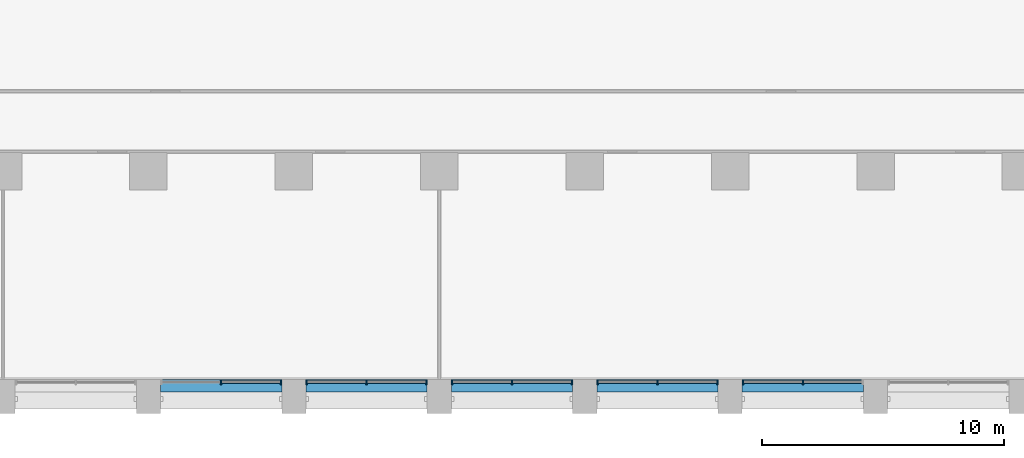
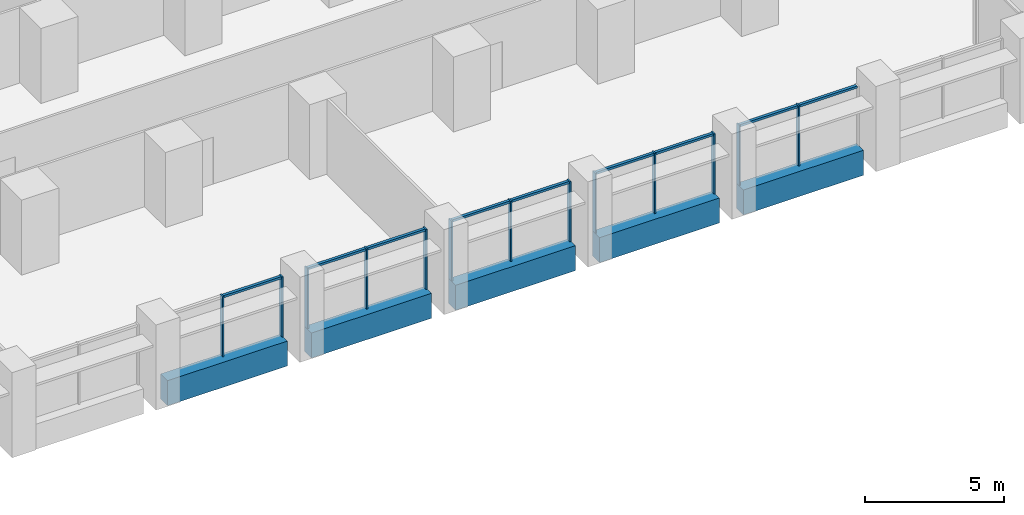
# One storey, part 3 of 17: 22 members, 5 beams, 5 elements without a shape of their own.
"""IFC4 building model written with IfcOpenShell, lengths in metres."""

from ifc_helpers import new_model, si_unit, direction, frame, origin, origin_2d, place, context, subcontext, project, spatial, rectangle, extrude, material, material_profile, profile_set, type_object, element, aggregate, save


model = new_model("IFC4")

# Units and contexts
model_context = context("Model", 3, precision=1e-05, world=origin(), true_north=direction((0.0, 1.0)))
body_context = subcontext(model_context, "Body", "Model", "MODEL_VIEW")
ifc_project = project(units=[si_unit("LENGTHUNIT", "METRE"), si_unit("AREAUNIT", "SQUARE_METRE"), si_unit("VOLUMEUNIT", "CUBIC_METRE"), si_unit("PLANEANGLEUNIT", "RADIAN"), si_unit("MASSUNIT", "GRAM", prefix="KILO")], contexts=[model_context])

# Site, building, storey
site_placement = place(None, origin())
site = spatial("IfcSite", under=ifc_project, at=site_placement, CompositionType="ELEMENT")
building_placement = place(site_placement, origin())
building = spatial("IfcBuilding", under=site, at=building_placement, Name="Calvaro Tower", CompositionType="ELEMENT")
storey_placement = place(building_placement, frame((0.0, 0.0, 71.25)))
storey = spatial("IfcBuildingStorey", under=building, at=storey_placement, Name="L17", CompositionType="ELEMENT", Elevation=71.25)

# Curtain wall, members
ifc_material_1 = material(Name="Anodised aluminium", Category="aluminium")
curtain_wall_type = type_object("IfcCurtainWallType", Name="Office curtain wall, lower zone", PredefinedType="NOTDEFINED", material=ifc_material_1)
curtain_wall_1_placement = place(storey_placement, origin())
curtain_wall_1 = element("IfcCurtainWall", 1, at=curtain_wall_1_placement, inside=storey, type_object=curtain_wall_type, Name="CW1 south curtain wall", PredefinedType="NOTDEFINED")
ifc_material_2 = material(Name="Anodised aluminium", Category="aluminium")
ifc_material_profile_1 = material_profile(ifc_material_2, rectangle(XDim=0.199951171875, YDim=0.06005859375, at=origin_2d()), Name="Mullion S1 60 x 200")
ifc_profile_set_1 = profile_set([ifc_material_profile_1], Name="Anodised aluminium")
member_type_1 = type_object("IfcMemberType", Name="Mullion S1 60 x 200", PredefinedType="MULLION", material=ifc_profile_set_1)
member_1_placement = place(storey_placement, frame((39.0, 1.300048828125, 0.0), z_axis=(0.0, 0.0, 1.0), x_axis=(0.0, 1.0, 0.0)))
member_1 = element("IfcMember", 2, at=member_1_placement, type_object=member_type_1, Name="CW1 mullion 2", PredefinedType="MULLION", context=body_context, shape_type="SweptSolid", body=[
    extrude(rectangle(XDim=0.199951171875, YDim=0.06005859375, at=origin_2d()), origin(), (0.0, 0.0, 1.0), 2.64990234375),
])
member_2_placement = place(storey_placement, frame((41.469970703125, 1.300048828125, 0.0), z_axis=(0.0, 0.0, 1.0), x_axis=(0.0, 1.0, 0.0)))
member_2 = element("IfcMember", 3, at=member_2_placement, type_object=member_type_1, Name="CW1 mullion 3", PredefinedType="MULLION", context=body_context, shape_type="SweptSolid", body=[
    extrude(rectangle(XDim=0.199951171875, YDim=0.06005859375, at=origin_2d()), origin(), (0.0, 0.0, 1.0), 2.64990234375),
])

curtain_wall_2_placement = place(storey_placement, origin())
curtain_wall_2 = element("IfcCurtainWall", 4, at=curtain_wall_2_placement, inside=storey, type_object=curtain_wall_type, Name="CW1 south curtain wall", PredefinedType="NOTDEFINED")
member_3_placement = place(storey_placement, frame((42.530029296875, 1.300048828125, 0.0), z_axis=(0.0, 0.0, 1.0), x_axis=(0.0, 1.0, 0.0)))
member_3 = element("IfcMember", 5, at=member_3_placement, type_object=member_type_1, Name="CW1 mullion 1", PredefinedType="MULLION", context=body_context, shape_type="SweptSolid", body=[
    extrude(rectangle(XDim=0.199951171875, YDim=0.06005859375, at=origin_2d()), origin(), (0.0, 0.0, 1.0), 2.64990234375),
])
member_4_placement = place(storey_placement, frame((45.0, 1.300048828125, 0.0), z_axis=(0.0, 0.0, 1.0), x_axis=(0.0, 1.0, 0.0)))
member_4 = element("IfcMember", 6, at=member_4_placement, type_object=member_type_1, Name="CW1 mullion 2", PredefinedType="MULLION", context=body_context, shape_type="SweptSolid", body=[
    extrude(rectangle(XDim=0.199951171875, YDim=0.06005859375, at=origin_2d()), origin(), (0.0, 0.0, 1.0), 2.64990234375),
])
member_5_placement = place(storey_placement, frame((47.469970703125, 1.300048828125, 0.0), z_axis=(0.0, 0.0, 1.0), x_axis=(0.0, 1.0, 0.0)))
member_5 = element("IfcMember", 7, at=member_5_placement, type_object=member_type_1, Name="CW1 mullion 3", PredefinedType="MULLION", context=body_context, shape_type="SweptSolid", body=[
    extrude(rectangle(XDim=0.199951171875, YDim=0.06005859375, at=origin_2d()), origin(), (0.0, 0.0, 1.0), 2.64990234375),
])

curtain_wall_3_placement = place(storey_placement, origin())
curtain_wall_3 = element("IfcCurtainWall", 8, at=curtain_wall_3_placement, inside=storey, type_object=curtain_wall_type, Name="CW1 south curtain wall", PredefinedType="NOTDEFINED")
member_6_placement = place(storey_placement, frame((48.530029296875, 1.300048828125, 0.0), z_axis=(0.0, 0.0, 1.0), x_axis=(0.0, 1.0, 0.0)))
member_6 = element("IfcMember", 9, at=member_6_placement, type_object=member_type_1, Name="CW1 mullion 1", PredefinedType="MULLION", context=body_context, shape_type="SweptSolid", body=[
    extrude(rectangle(XDim=0.199951171875, YDim=0.06005859375, at=origin_2d()), origin(), (0.0, 0.0, 1.0), 2.64990234375),
])
member_7_placement = place(storey_placement, frame((51.0, 1.300048828125, 0.0), z_axis=(0.0, 0.0, 1.0), x_axis=(0.0, 1.0, 0.0)))
member_7 = element("IfcMember", 10, at=member_7_placement, type_object=member_type_1, Name="CW1 mullion 2", PredefinedType="MULLION", context=body_context, shape_type="SweptSolid", body=[
    extrude(rectangle(XDim=0.199951171875, YDim=0.06005859375, at=origin_2d()), origin(), (0.0, 0.0, 1.0), 2.64990234375),
])
member_8_placement = place(storey_placement, frame((53.469970703125, 1.300048828125, 0.0), z_axis=(0.0, 0.0, 1.0), x_axis=(0.0, 1.0, 0.0)))
member_8 = element("IfcMember", 11, at=member_8_placement, type_object=member_type_1, Name="CW1 mullion 3", PredefinedType="MULLION", context=body_context, shape_type="SweptSolid", body=[
    extrude(rectangle(XDim=0.199951171875, YDim=0.06005859375, at=origin_2d()), origin(), (0.0, 0.0, 1.0), 2.64990234375),
])

curtain_wall_4_placement = place(storey_placement, origin())
curtain_wall_4 = element("IfcCurtainWall", 12, at=curtain_wall_4_placement, inside=storey, type_object=curtain_wall_type, Name="CW1 south curtain wall", PredefinedType="NOTDEFINED")
member_9_placement = place(storey_placement, frame((54.530029296875, 1.300048828125, 0.0), z_axis=(0.0, 0.0, 1.0), x_axis=(0.0, 1.0, 0.0)))
member_9 = element("IfcMember", 13, at=member_9_placement, type_object=member_type_1, Name="CW1 mullion 1", PredefinedType="MULLION", context=body_context, shape_type="SweptSolid", body=[
    extrude(rectangle(XDim=0.199951171875, YDim=0.06005859375, at=origin_2d()), origin(), (0.0, 0.0, 1.0), 2.64990234375),
])
member_10_placement = place(storey_placement, frame((57.0, 1.300048828125, 0.0), z_axis=(0.0, 0.0, 1.0), x_axis=(0.0, 1.0, 0.0)))
member_10 = element("IfcMember", 14, at=member_10_placement, type_object=member_type_1, Name="CW1 mullion 2", PredefinedType="MULLION", context=body_context, shape_type="SweptSolid", body=[
    extrude(rectangle(XDim=0.199951171875, YDim=0.06005859375, at=origin_2d()), origin(), (0.0, 0.0, 1.0), 2.64990234375),
])
member_11_placement = place(storey_placement, frame((59.469970703125, 1.300048828125, 0.0), z_axis=(0.0, 0.0, 1.0), x_axis=(0.0, 1.0, 0.0)))
member_11 = element("IfcMember", 15, at=member_11_placement, type_object=member_type_1, Name="CW1 mullion 3", PredefinedType="MULLION", context=body_context, shape_type="SweptSolid", body=[
    extrude(rectangle(XDim=0.199951171875, YDim=0.06005859375, at=origin_2d()), origin(), (0.0, 0.0, 1.0), 2.64990234375),
])

curtain_wall_5_placement = place(storey_placement, origin())
curtain_wall_5 = element("IfcCurtainWall", 16, at=curtain_wall_5_placement, inside=storey, type_object=curtain_wall_type, Name="CW1 south curtain wall", PredefinedType="NOTDEFINED")
member_12_placement = place(storey_placement, frame((60.530029296875, 1.300048828125, 0.0), z_axis=(0.0, 0.0, 1.0), x_axis=(0.0, 1.0, 0.0)))
member_12 = element("IfcMember", 17, at=member_12_placement, type_object=member_type_1, Name="CW1 mullion 1", PredefinedType="MULLION", context=body_context, shape_type="SweptSolid", body=[
    extrude(rectangle(XDim=0.199951171875, YDim=0.06005859375, at=origin_2d()), origin(), (0.0, 0.0, 1.0), 2.64990234375),
])
member_13_placement = place(storey_placement, frame((63.0, 1.300048828125, 0.0), z_axis=(0.0, 0.0, 1.0), x_axis=(0.0, 1.0, 0.0)))
member_13 = element("IfcMember", 18, at=member_13_placement, type_object=member_type_1, Name="CW1 mullion 2", PredefinedType="MULLION", context=body_context, shape_type="SweptSolid", body=[
    extrude(rectangle(XDim=0.199951171875, YDim=0.06005859375, at=origin_2d()), origin(), (0.0, 0.0, 1.0), 2.64990234375),
])

# Beams
ifc_material_3 = material(Name="Concrete C50/60 precast", Category="concrete")
ifc_material_profile_2 = material_profile(ifc_material_3, rectangle(XDim=0.5, YDim=1.10009765625, at=origin_2d()), Name="RC 500x1100")
ifc_profile_set_2 = profile_set([ifc_material_profile_2], Name="Concrete C50/60 precast")
beam_type = type_object("IfcBeamType", Name="Spandrel beam 500x1100 C50/60", PredefinedType="SPANDREL", material=ifc_profile_set_2)
for number, where, z_axis, x_axis, name in (
    (19, (36.5, 1.14990234375, -0.550048828125), (1.0, 0.0, 0.0), (0.0, 1.0, 0.0), "Spandrel beam"),
    (20, (42.5, 1.14990234375, -0.550048828125), (1.0, 0.0, 0.0), (0.0, 1.0, 0.0), "Spandrel beam"),
    (21, (48.5, 1.14990234375, -0.550048828125), (1.0, 0.0, 0.0), (0.0, 1.0, 0.0), "Spandrel beam"),
    (22, (54.5, 1.14990234375, -0.550048828125), (1.0, 0.0, 0.0), (0.0, 1.0, 0.0), "Spandrel beam"),
    (23, (60.5, 1.14990234375, -0.550048828125), (1.0, 0.0, 0.0), (0.0, 1.0, 0.0), "Spandrel beam"),
):
    element("IfcBeam", number, at=place(storey_placement, frame(where, z_axis=z_axis, x_axis=x_axis)), inside=storey, type_object=beam_type, Name=name, PredefinedType="SPANDREL", context=body_context, shape_type="SweptSolid", body=[
        extrude(rectangle(XDim=0.5, YDim=1.10009765625, at=origin_2d()), origin(), (0.0, 0.0, 1.0), 5.0),
    ])

# Member
ifc_material_4 = material(Name="Anodised aluminium", Category="aluminium")
ifc_material_profile_3 = material_profile(ifc_material_4, rectangle(XDim=0.1201171875, YDim=0.10009765625, at=origin_2d()), Name="Transom S1 100 x 120")
ifc_profile_set_3 = profile_set([ifc_material_profile_3], Name="Anodised aluminium")
member_type_2 = type_object("IfcMemberType", Name="Transom S1 100 x 120", PredefinedType="USERDEFINED", material=ifc_profile_set_3)
member_14_placement = place(storey_placement, frame((39.030029296875, 1.300048828125, 2.60009765625), z_axis=(1.0, 0.0, 0.0), x_axis=(0.0, 1.0, 0.0)))
member_14 = element("IfcMember", 24, at=member_14_placement, type_object=member_type_2, Name="CW1 transom 2.1", ObjectType="TRANSOM", PredefinedType="USERDEFINED", context=body_context, shape_type="SweptSolid", body=[
    extrude(rectangle(XDim=0.1201171875, YDim=0.10009765625, at=origin_2d()), origin(), (0.0, 0.0, 1.0), 2.409912109375),
])

aggregate(curtain_wall_1, [member_1, member_2, member_14])

member_15_placement = place(storey_placement, frame((42.56005859375, 1.300048828125, 2.60009765625), z_axis=(1.0, 0.0, 0.0), x_axis=(0.0, 1.0, 0.0)))
member_15 = element("IfcMember", 25, at=member_15_placement, type_object=member_type_2, Name="CW1 transom 1.1", ObjectType="TRANSOM", PredefinedType="USERDEFINED", context=body_context, shape_type="SweptSolid", body=[
    extrude(rectangle(XDim=0.1201171875, YDim=0.10009765625, at=origin_2d()), origin(), (0.0, 0.0, 1.0), 2.409912109375),
])

member_16_placement = place(storey_placement, frame((45.030029296875, 1.300048828125, 2.60009765625), z_axis=(1.0, 0.0, 0.0), x_axis=(0.0, 1.0, 0.0)))
member_16 = element("IfcMember", 26, at=member_16_placement, type_object=member_type_2, Name="CW1 transom 2.1", ObjectType="TRANSOM", PredefinedType="USERDEFINED", context=body_context, shape_type="SweptSolid", body=[
    extrude(rectangle(XDim=0.1201171875, YDim=0.10009765625, at=origin_2d()), origin(), (0.0, 0.0, 1.0), 2.409912109375),
])

aggregate(curtain_wall_2, [member_3, member_4, member_5, member_15, member_16])

member_17_placement = place(storey_placement, frame((48.56005859375, 1.300048828125, 2.60009765625), z_axis=(1.0, 0.0, 0.0), x_axis=(0.0, 1.0, 0.0)))
member_17 = element("IfcMember", 27, at=member_17_placement, type_object=member_type_2, Name="CW1 transom 1.1", ObjectType="TRANSOM", PredefinedType="USERDEFINED", context=body_context, shape_type="SweptSolid", body=[
    extrude(rectangle(XDim=0.1201171875, YDim=0.10009765625, at=origin_2d()), origin(), (0.0, 0.0, 1.0), 2.409912109375),
])

member_18_placement = place(storey_placement, frame((51.030029296875, 1.300048828125, 2.60009765625), z_axis=(1.0, 0.0, 0.0), x_axis=(0.0, 1.0, 0.0)))
member_18 = element("IfcMember", 28, at=member_18_placement, type_object=member_type_2, Name="CW1 transom 2.1", ObjectType="TRANSOM", PredefinedType="USERDEFINED", context=body_context, shape_type="SweptSolid", body=[
    extrude(rectangle(XDim=0.1201171875, YDim=0.10009765625, at=origin_2d()), origin(), (0.0, 0.0, 1.0), 2.409912109375),
])

aggregate(curtain_wall_3, [member_6, member_7, member_8, member_17, member_18])

member_19_placement = place(storey_placement, frame((54.56005859375, 1.300048828125, 2.60009765625), z_axis=(1.0, 0.0, 0.0), x_axis=(0.0, 1.0, 0.0)))
member_19 = element("IfcMember", 29, at=member_19_placement, type_object=member_type_2, Name="CW1 transom 1.1", ObjectType="TRANSOM", PredefinedType="USERDEFINED", context=body_context, shape_type="SweptSolid", body=[
    extrude(rectangle(XDim=0.1201171875, YDim=0.10009765625, at=origin_2d()), origin(), (0.0, 0.0, 1.0), 2.409912109375),
])

member_20_placement = place(storey_placement, frame((57.030029296875, 1.300048828125, 2.60009765625), z_axis=(1.0, 0.0, 0.0), x_axis=(0.0, 1.0, 0.0)))
member_20 = element("IfcMember", 30, at=member_20_placement, type_object=member_type_2, Name="CW1 transom 2.1", ObjectType="TRANSOM", PredefinedType="USERDEFINED", context=body_context, shape_type="SweptSolid", body=[
    extrude(rectangle(XDim=0.1201171875, YDim=0.10009765625, at=origin_2d()), origin(), (0.0, 0.0, 1.0), 2.409912109375),
])

aggregate(curtain_wall_4, [member_9, member_10, member_11, member_19, member_20])

member_21_placement = place(storey_placement, frame((60.56005859375, 1.300048828125, 2.60009765625), z_axis=(1.0, 0.0, 0.0), x_axis=(0.0, 1.0, 0.0)))
member_21 = element("IfcMember", 31, at=member_21_placement, type_object=member_type_2, Name="CW1 transom 1.1", ObjectType="TRANSOM", PredefinedType="USERDEFINED", context=body_context, shape_type="SweptSolid", body=[
    extrude(rectangle(XDim=0.1201171875, YDim=0.10009765625, at=origin_2d()), origin(), (0.0, 0.0, 1.0), 2.409912109375),
])

member_22_placement = place(storey_placement, frame((63.030029296875, 1.300048828125, 2.60009765625), z_axis=(1.0, 0.0, 0.0), x_axis=(0.0, 1.0, 0.0)))
member_22 = element("IfcMember", 32, at=member_22_placement, type_object=member_type_2, Name="CW1 transom 2.1", ObjectType="TRANSOM", PredefinedType="USERDEFINED", context=body_context, shape_type="SweptSolid", body=[
    extrude(rectangle(XDim=0.1201171875, YDim=0.10009765625, at=origin_2d()), origin(), (0.0, 0.0, 1.0), 2.409912109375),
])

aggregate(curtain_wall_5, [member_12, member_13, member_21, member_22])

save(model, "model.ifc")
